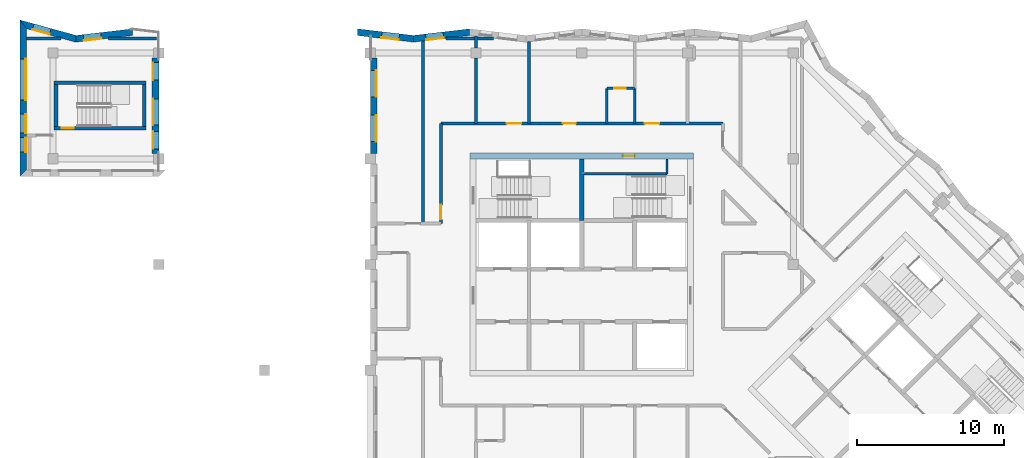
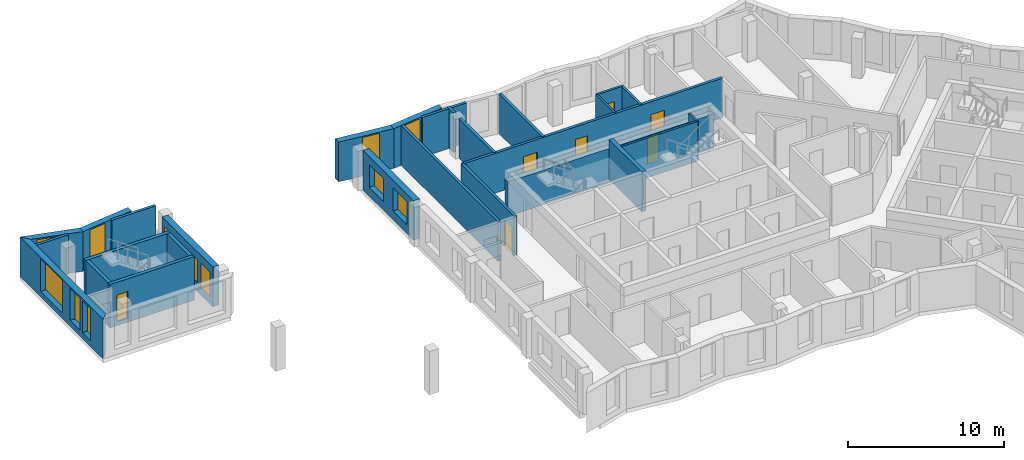
# One storey, part 5 of 12: 27 walls, 12 windows, 7 doors, 19 openings.
"""IFC4 building model written with IfcOpenShell, lengths in metres."""

from ifc_helpers import new_model, si_unit, direction, frame, frame_2d, origin, place, context, subcontext, project, spatial, polyline, rectangle, outline, extrude, material, layer, layer_set, type_object, element, fill, save


model = new_model("IFC4")

# Units and contexts
model_context = context("Model", 3, precision=1e-05, world=origin(), true_north=direction((0.0, 1.0)))
body_context = subcontext(model_context, "Body", "Model", "MODEL_VIEW")
ifc_project = project(units=[si_unit("LENGTHUNIT", "METRE"), si_unit("AREAUNIT", "SQUARE_METRE"), si_unit("VOLUMEUNIT", "CUBIC_METRE"), si_unit("PLANEANGLEUNIT", "RADIAN"), si_unit("MASSUNIT", "GRAM", prefix="KILO")], contexts=[model_context])

# Site, building, storey
site_placement = place(None, origin())
site = spatial("IfcSite", under=ifc_project, at=site_placement, CompositionType="ELEMENT")
building_placement = place(site_placement, origin())
building = spatial("IfcBuilding", under=site, at=building_placement, Name="Windrow Commons", CompositionType="ELEMENT")
storey_placement = place(building_placement, frame((0.0, 0.0, 260.8)))
storey = spatial("IfcBuildingStorey", under=building, at=storey_placement, Name="L71", CompositionType="ELEMENT", Elevation=260.8)

# Wall, opening, window
ifc_material_1 = material(Name="Brick masonry, red clay brick", Category="masonry")
ifc_layer_1 = layer(ifc_material_1, 0.45)
ifc_layer_set_1 = layer_set([ifc_layer_1], Name="Brick facade wall 450")
wall_type_1 = type_object("IfcWallType", Name="Brick facade wall 450", PredefinedType="SOLIDWALL", material=ifc_layer_set_1)
wall_1_placement = place(storey_placement, frame((57.1681, 73.4244, 0.0), z_axis=(0.0, 0.0, 1.0), x_axis=(-0.9931289789, -0.1170249176, 0.0)))
wall_1 = element("IfcWall", 1, at=wall_1_placement, inside=storey, type_object=wall_type_1, Name="Brick facade wall L71 23", PredefinedType="SOLIDWALL", context=body_context, shape_type="SweptSolid", body=[
    extrude(outline(polyline([(-0.0265, -0.225), (3.8274, -0.225), (3.8804, 0.225), (0.0265, 0.225), (-0.0265, -0.225)])), origin(), (0.0, 0.0, 1.0), 3.1),
])
opening_1_placement = place(wall_1_placement, frame((1.8083, 0.0, 0.45)))
opening_1 = element("IfcOpeningElement", 2, at=opening_1_placement, cuts=wall_1, Name="Opening W7F", PredefinedType="OPENING", context=body_context, shape_type="SweptSolid", body=[
    extrude(rectangle(XDim=1.2, YDim=2.55, at=frame_2d((0.6, 1.275))), frame((0.0, 0.235, 0.0), z_axis=(0.0, -1.0, 0.0), x_axis=(1.0, 0.0, 0.0)), (0.0, 0.0, 1.0), 0.47),
])
ifc_material_2 = material(Name="Clear float glass in anodised aluminium frame", Category="aluminium")
window_type_1 = type_object("IfcWindowType", Name="Window W7 notch 1200x2550", PartitioningType="SINGLE_PANEL", PredefinedType="WINDOW", material=ifc_material_2)
window_1_placement = place(opening_1_placement, origin())
window_1 = element("IfcWindow", 3, at=window_1_placement, inside=storey, type_object=window_type_1, Name="Window L71 23.1", OverallHeight=2.55, OverallWidth=1.2, PartitioningType="SINGLE_PANEL", PredefinedType="WINDOW", context=body_context, shape_type="SweptSolid", body=[
    extrude(rectangle(XDim=1.2, YDim=2.55, at=frame_2d((0.6, 1.275))), frame((0.0, 0.205, 0.0), z_axis=(0.0, -1.0, 0.0), x_axis=(1.0, 0.0, 0.0)), (0.0, 0.0, 1.0), 0.06),
])
fill(opening_1, window_1)

wall_2_placement = place(storey_placement, frame((53.3407, 72.9734, 0.0), z_axis=(0.0, 0.0, 1.0), x_axis=(-0.9931289789, 0.1170249176, 0.0)))
wall_2 = element("IfcWall", 4, at=wall_2_placement, inside=storey, type_object=wall_type_1, Name="Brick facade wall L71 24", PredefinedType="SOLIDWALL", context=body_context, shape_type="SweptSolid", body=[
    extrude(outline(polyline([(0.0265, -0.225), (3.8804, -0.225), (3.8274, 0.225), (-0.0265, 0.225), (0.0265, -0.225)])), origin(), (0.0, 0.0, 1.0), 3.1),
])
opening_2_placement = place(wall_2_placement, frame((0.9805, 0.0, 0.45)))
opening_2 = element("IfcOpeningElement", 5, at=opening_2_placement, cuts=wall_2, Name="Opening W7F", PredefinedType="OPENING", context=body_context, shape_type="SweptSolid", body=[
    extrude(rectangle(XDim=1.2, YDim=2.55, at=frame_2d((0.6, 1.275))), frame((0.0, 0.235, 0.0), z_axis=(0.0, -1.0, 0.0), x_axis=(1.0, 0.0, 0.0)), (0.0, 0.0, 1.0), 0.47),
])
window_2_placement = place(opening_2_placement, origin())
window_2 = element("IfcWindow", 6, at=window_2_placement, inside=storey, type_object=window_type_1, Name="Window L71 24.1", OverallHeight=2.55, OverallWidth=1.2, PartitioningType="SINGLE_PANEL", PredefinedType="WINDOW", context=body_context, shape_type="SweptSolid", body=[
    extrude(rectangle(XDim=1.2, YDim=2.55, at=frame_2d((0.6, 1.275))), frame((0.0, 0.205, 0.0), z_axis=(0.0, -1.0, 0.0), x_axis=(1.0, 0.0, 0.0)), (0.0, 0.0, 1.0), 0.06),
])
fill(opening_2, window_2)

wall_3_placement = place(storey_placement, frame((34.2038, 73.4244, 0.0), z_axis=(0.0, 0.0, 1.0), x_axis=(-0.9931301358, -0.1170150991, 0.0)))
wall_3 = element("IfcWall", 7, at=wall_3_placement, inside=storey, type_object=wall_type_1, Name="Brick facade wall L71 29", PredefinedType="SOLIDWALL", context=body_context, shape_type="SweptSolid", body=[
    extrude(outline(polyline([(-0.0265, -0.225), (3.8274, -0.225), (3.9151, 0.225), (0.0265, 0.225), (-0.0265, -0.225)])), origin(), (0.0, 0.0, 1.0), 3.1),
])
opening_3_placement = place(wall_3_placement, frame((2.1438, 0.0, 0.45)))
opening_3 = element("IfcOpeningElement", 8, at=opening_3_placement, cuts=wall_3, Name="Opening W7F", PredefinedType="OPENING", context=body_context, shape_type="SweptSolid", body=[
    extrude(rectangle(XDim=1.2, YDim=2.55, at=frame_2d((0.6, 1.275))), frame((0.0, 0.235, 0.0), z_axis=(0.0, -1.0, 0.0), x_axis=(1.0, 0.0, 0.0)), (0.0, 0.0, 1.0), 0.47),
])
window_3_placement = place(opening_3_placement, origin())
window_3 = element("IfcWindow", 9, at=window_3_placement, inside=storey, type_object=window_type_1, Name="Window L71 29.2", OverallHeight=2.55, OverallWidth=1.2, PartitioningType="SINGLE_PANEL", PredefinedType="WINDOW", context=body_context, shape_type="SweptSolid", body=[
    extrude(rectangle(XDim=1.2, YDim=2.55, at=frame_2d((0.6, 1.275))), frame((0.0, 0.205, 0.0), z_axis=(0.0, -1.0, 0.0), x_axis=(1.0, 0.0, 0.0)), (0.0, 0.0, 1.0), 0.06),
])
fill(opening_3, window_3)

wall_4_placement = place(storey_placement, frame((30.3591, 72.9714, 0.0), z_axis=(0.0, 0.0, 1.0), x_axis=(-0.9643017755, 0.264805751, 0.0)))
wall_4 = element("IfcWall", 10, at=wall_4_placement, inside=storey, type_object=wall_type_1, Name="Brick facade wall L71 30", PredefinedType="SOLIDWALL", context=body_context, shape_type="SweptSolid", body=[
    extrude(outline(polyline([(0.0439, -0.225), (4.013, -0.225), (3.4227, 0.225), (-0.0439, 0.225), (0.0439, -0.225)])), origin(), (0.0, 0.0, 1.0), 3.1),
])
opening_4_placement = place(wall_4_placement, frame((1.8198, 0.0, 0.45)))
opening_4 = element("IfcOpeningElement", 11, at=opening_4_placement, cuts=wall_4, Name="Opening W7F", PredefinedType="OPENING", context=body_context, shape_type="SweptSolid", body=[
    extrude(rectangle(XDim=1.2, YDim=2.55, at=frame_2d((0.6, 1.275))), frame((0.0, 0.235, 0.0), z_axis=(0.0, -1.0, 0.0), x_axis=(1.0, 0.0, 0.0)), (0.0, 0.0, 1.0), 0.47),
])
window_4_placement = place(opening_4_placement, origin())
window_4 = element("IfcWindow", 12, at=window_4_placement, inside=storey, type_object=window_type_1, Name="Window L71 30.2", OverallHeight=2.55, OverallWidth=1.2, PartitioningType="SINGLE_PANEL", PredefinedType="WINDOW", context=body_context, shape_type="SweptSolid", body=[
    extrude(rectangle(XDim=1.2, YDim=2.55, at=frame_2d((0.6, 1.275))), frame((0.0, 0.205, 0.0), z_axis=(0.0, -1.0, 0.0), x_axis=(1.0, 0.0, 0.0)), (0.0, 0.0, 1.0), 0.06),
])
fill(opening_4, window_4)

# Wall, openings, windows
wall_5_placement = place(storey_placement, frame((26.774, 73.9559, 0.0), z_axis=(0.0, 0.0, 1.0), x_axis=(0.0, -1.0, 0.0)))
wall_5 = element("IfcWall", 13, at=wall_5_placement, inside=storey, type_object=wall_type_1, Name="Brick facade wall L71 31", PredefinedType="SOLIDWALL", context=body_context, shape_type="SweptSolid", body=[
    extrude(outline(polyline([(-0.2951, -0.225), (10.3559, -0.225), (9.9059, 0.225), (0.2951, 0.225), (-0.2951, -0.225)])), origin(), (0.0, 0.0, 1.0), 3.1),
])
opening_5_placement = place(wall_5_placement, frame((2.3559, 0.0, 0.45)))
opening_5 = element("IfcOpeningElement", 14, at=opening_5_placement, cuts=wall_5, Name="Opening W1V", PredefinedType="OPENING", context=body_context, shape_type="SweptSolid", body=[
    extrude(rectangle(XDim=2.8, YDim=2.55, at=frame_2d((1.4, 1.275))), frame((0.0, 0.235, 0.0), z_axis=(0.0, -1.0, 0.0), x_axis=(1.0, 0.0, 0.0)), (0.0, 0.0, 1.0), 0.47),
])
opening_6_placement = place(wall_5_placement, frame((6.1059, 0.0, 0.45)))
opening_6 = element("IfcOpeningElement", 15, at=opening_6_placement, cuts=wall_5, Name="Opening W1Q", PredefinedType="OPENING", context=body_context, shape_type="SweptSolid", body=[
    extrude(rectangle(XDim=1.3, YDim=2.5, at=frame_2d((0.65, 1.25))), frame((0.0, 0.235, 0.0), z_axis=(0.0, -1.0, 0.0), x_axis=(1.0, 0.0, 0.0)), (0.0, 0.0, 1.0), 0.47),
])
opening_7_placement = place(wall_5_placement, frame((7.7059, 0.0, 0.45)))
opening_7 = element("IfcOpeningElement", 16, at=opening_7_placement, cuts=wall_5, Name="Opening W1S", PredefinedType="OPENING", context=body_context, shape_type="SweptSolid", body=[
    extrude(rectangle(XDim=1.0, YDim=2.5, at=frame_2d((0.5, 1.25))), frame((0.0, 0.235, 0.0), z_axis=(0.0, -1.0, 0.0), x_axis=(1.0, 0.0, 0.0)), (0.0, 0.0, 1.0), 0.47),
])
ifc_material_3 = material(Name="Clear float glass in anodised aluminium frame", Category="aluminium")
window_type_2 = type_object("IfcWindowType", Name="Window W1Q pair 1300x2500", PartitioningType="SINGLE_PANEL", PredefinedType="WINDOW", material=ifc_material_3)
window_5_placement = place(opening_6_placement, origin())
window_5 = element("IfcWindow", 17, at=window_5_placement, inside=storey, type_object=window_type_2, Name="Window L71 31.2A", OverallHeight=2.5, OverallWidth=1.3, PartitioningType="SINGLE_PANEL", PredefinedType="WINDOW", context=body_context, shape_type="SweptSolid", body=[
    extrude(rectangle(XDim=1.3, YDim=2.5, at=frame_2d((0.65, 1.25))), frame((0.0, 0.205, 0.0), z_axis=(0.0, -1.0, 0.0), x_axis=(1.0, 0.0, 0.0)), (0.0, 0.0, 1.0), 0.06),
])
fill(opening_6, window_5)
ifc_material_4 = material(Name="Clear float glass in anodised aluminium frame", Category="aluminium")
window_type_3 = type_object("IfcWindowType", Name="Window W1S slit 1000x2500", PartitioningType="SINGLE_PANEL", PredefinedType="WINDOW", material=ifc_material_4)
window_6_placement = place(opening_7_placement, origin())
window_6 = element("IfcWindow", 18, at=window_6_placement, inside=storey, type_object=window_type_3, Name="Window L71 31.2B", OverallHeight=2.5, OverallWidth=1.0, PartitioningType="SINGLE_PANEL", PredefinedType="WINDOW", context=body_context, shape_type="SweptSolid", body=[
    extrude(rectangle(XDim=1.0, YDim=2.5, at=frame_2d((0.5, 1.25))), frame((0.0, 0.205, 0.0), z_axis=(0.0, -1.0, 0.0), x_axis=(1.0, 0.0, 0.0)), (0.0, 0.0, 1.0), 0.06),
])
fill(opening_7, window_6)
ifc_material_5 = material(Name="Clear float glass in anodised aluminium frame", Category="aluminium")
window_type_4 = type_object("IfcWindowType", Name="Window W1V bedroom 2800x2550", PartitioningType="SINGLE_PANEL", PredefinedType="WINDOW", material=ifc_material_5)
window_7_placement = place(opening_5_placement, origin())
window_7 = element("IfcWindow", 19, at=window_7_placement, inside=storey, type_object=window_type_4, Name="Window L71 31.1", OverallHeight=2.55, OverallWidth=2.8, PartitioningType="SINGLE_PANEL", PredefinedType="WINDOW", context=body_context, shape_type="SweptSolid", body=[
    extrude(rectangle(XDim=2.8, YDim=2.55, at=frame_2d((1.4, 1.275))), frame((0.0, 0.205, 0.0), z_axis=(0.0, -1.0, 0.0), x_axis=(1.0, 0.0, 0.0)), (0.0, 0.0, 1.0), 0.06),
])
fill(opening_5, window_7)

wall_6_placement = place(storey_placement, frame((35.775, 65.15, 0.0), z_axis=(0.0, 0.0, 1.0), x_axis=(0.0, 1.0, 0.0)))
wall_6 = element("IfcWall", 20, at=wall_6_placement, inside=storey, type_object=wall_type_1, Name="Brick portal return L71 6", PredefinedType="SOLIDWALL", context=body_context, shape_type="SweptSolid", body=[
    extrude(rectangle(XDim=6.5, YDim=0.45, at=frame_2d((3.25, 0.0))), origin(), (0.0, 0.0, 1.0), 3.1),
])
opening_8_placement = place(wall_6_placement, frame((0.325, 0.0, 0.6)))
opening_8 = element("IfcOpeningElement", 21, at=opening_8_placement, cuts=wall_6, Name="Opening W7G", PredefinedType="OPENING", context=body_context, shape_type="SweptSolid", body=[
    extrude(rectangle(XDim=1.2, YDim=1.9, at=frame_2d((0.6, 0.95))), frame((0.0, 0.235, 0.0), z_axis=(0.0, -1.0, 0.0), x_axis=(1.0, 0.0, 0.0)), (0.0, 0.0, 1.0), 0.47),
])
opening_9_placement = place(wall_6_placement, frame((1.9375, 0.0, 0.7)))
opening_9 = element("IfcOpeningElement", 22, at=opening_9_placement, cuts=wall_6, Name="Opening W8", PredefinedType="OPENING", context=body_context, shape_type="SweptSolid", body=[
    extrude(rectangle(XDim=1.8, YDim=1.8, at=frame_2d((0.9, 0.9))), frame((0.0, 0.235, 0.0), z_axis=(0.0, -1.0, 0.0), x_axis=(1.0, 0.0, 0.0)), (0.0, 0.0, 1.0), 0.47),
])
opening_10_placement = place(wall_6_placement, frame((5.0, 0.0, 0.6)))
opening_10 = element("IfcOpeningElement", 23, at=opening_10_placement, cuts=wall_6, Name="Opening W7G", PredefinedType="OPENING", context=body_context, shape_type="SweptSolid", body=[
    extrude(rectangle(XDim=1.2, YDim=1.9, at=frame_2d((0.6, 0.95))), frame((0.0, 0.235, 0.0), z_axis=(0.0, -1.0, 0.0), x_axis=(1.0, 0.0, 0.0)), (0.0, 0.0, 1.0), 0.47),
])
ifc_material_6 = material(Name="Clear float glass in anodised aluminium frame", Category="aluminium")
window_type_5 = type_object("IfcWindowType", Name="Window W7 notch 1200x1900", PartitioningType="SINGLE_PANEL", PredefinedType="WINDOW", material=ifc_material_6)
window_8_placement = place(opening_8_placement, origin())
window_8 = element("IfcWindow", 24, at=window_8_placement, inside=storey, type_object=window_type_5, Name="Window L71 portal 6.1.1A", OverallHeight=1.9, OverallWidth=1.2, PartitioningType="SINGLE_PANEL", PredefinedType="WINDOW", context=body_context, shape_type="SweptSolid", body=[
    extrude(rectangle(XDim=1.2, YDim=1.9, at=frame_2d((0.6, 0.95))), frame((0.0, 0.205, 0.0), z_axis=(0.0, -1.0, 0.0), x_axis=(1.0, 0.0, 0.0)), (0.0, 0.0, 1.0), 0.06),
])
fill(opening_8, window_8)
window_9_placement = place(opening_10_placement, origin())
window_9 = element("IfcWindow", 25, at=window_9_placement, inside=storey, type_object=window_type_5, Name="Window L71 portal 6.1.2A", OverallHeight=1.9, OverallWidth=1.2, PartitioningType="SINGLE_PANEL", PredefinedType="WINDOW", context=body_context, shape_type="SweptSolid", body=[
    extrude(rectangle(XDim=1.2, YDim=1.9, at=frame_2d((0.6, 0.95))), frame((0.0, 0.205, 0.0), z_axis=(0.0, -1.0, 0.0), x_axis=(1.0, 0.0, 0.0)), (0.0, 0.0, 1.0), 0.06),
])
fill(opening_10, window_9)
ifc_material_7 = material(Name="Clear float glass in anodised aluminium frame", Category="aluminium")
window_type_6 = type_object("IfcWindowType", Name="Window W8 portal 1800x1800", PartitioningType="SINGLE_PANEL", PredefinedType="WINDOW", material=ifc_material_7)
window_10_placement = place(opening_9_placement, origin())
window_10 = element("IfcWindow", 26, at=window_10_placement, inside=storey, type_object=window_type_6, Name="Window L71 portal 6.1.1B", OverallHeight=1.8, OverallWidth=1.8, PartitioningType="SINGLE_PANEL", PredefinedType="WINDOW", context=body_context, shape_type="SweptSolid", body=[
    extrude(rectangle(XDim=1.8, YDim=1.8, at=frame_2d((0.9, 0.9))), frame((0.0, 0.205, 0.0), z_axis=(0.0, -1.0, 0.0), x_axis=(1.0, 0.0, 0.0)), (0.0, 0.0, 1.0), 0.06),
])
fill(opening_9, window_10)

wall_7_placement = place(storey_placement, frame((50.625, 71.65, 0.0), z_axis=(0.0, 0.0, 1.0), x_axis=(0.0, -1.0, 0.0)))
wall_7 = element("IfcWall", 27, at=wall_7_placement, inside=storey, type_object=wall_type_1, Name="Brick portal return L71 12", PredefinedType="SOLIDWALL", context=body_context, shape_type="SweptSolid", body=[
    extrude(rectangle(XDim=6.5, YDim=0.45, at=frame_2d((3.25, 0.0))), origin(), (0.0, 0.0, 1.0), 3.1),
])
opening_11_placement = place(wall_7_placement, frame((0.825, 0.0, 0.7)))
opening_11 = element("IfcOpeningElement", 28, at=opening_11_placement, cuts=wall_7, Name="Opening W8", PredefinedType="OPENING", context=body_context, shape_type="SweptSolid", body=[
    extrude(rectangle(XDim=1.8, YDim=1.8, at=frame_2d((0.9, 0.9))), frame((0.0, 0.235, 0.0), z_axis=(0.0, -1.0, 0.0), x_axis=(1.0, 0.0, 0.0)), (0.0, 0.0, 1.0), 0.47),
])
opening_12_placement = place(wall_7_placement, frame((3.875, 0.0, 0.7)))
opening_12 = element("IfcOpeningElement", 29, at=opening_12_placement, cuts=wall_7, Name="Opening W8", PredefinedType="OPENING", context=body_context, shape_type="SweptSolid", body=[
    extrude(rectangle(XDim=1.8, YDim=1.8, at=frame_2d((0.9, 0.9))), frame((0.0, 0.235, 0.0), z_axis=(0.0, -1.0, 0.0), x_axis=(1.0, 0.0, 0.0)), (0.0, 0.0, 1.0), 0.47),
])
window_11_placement = place(opening_11_placement, origin())
window_11 = element("IfcWindow", 30, at=window_11_placement, inside=storey, type_object=window_type_6, Name="Window L71 portal 12.1.1", OverallHeight=1.8, OverallWidth=1.8, PartitioningType="SINGLE_PANEL", PredefinedType="WINDOW", context=body_context, shape_type="SweptSolid", body=[
    extrude(rectangle(XDim=1.8, YDim=1.8, at=frame_2d((0.9, 0.9))), frame((0.0, 0.205, 0.0), z_axis=(0.0, -1.0, 0.0), x_axis=(1.0, 0.0, 0.0)), (0.0, 0.0, 1.0), 0.06),
])
fill(opening_11, window_11)
window_12_placement = place(opening_12_placement, origin())
window_12 = element("IfcWindow", 31, at=window_12_placement, inside=storey, type_object=window_type_6, Name="Window L71 portal 12.1.2", OverallHeight=1.8, OverallWidth=1.8, PartitioningType="SINGLE_PANEL", PredefinedType="WINDOW", context=body_context, shape_type="SweptSolid", body=[
    extrude(rectangle(XDim=1.8, YDim=1.8, at=frame_2d((0.9, 0.9))), frame((0.0, 0.205, 0.0), z_axis=(0.0, -1.0, 0.0), x_axis=(1.0, 0.0, 0.0)), (0.0, 0.0, 1.0), 0.06),
])
fill(opening_12, window_12)

# Wall, openings, doors
ifc_material_8 = material(Name="Blockwork partition", Category="masonry")
ifc_layer_2 = layer(ifc_material_8, 0.2)
ifc_layer_set_2 = layer_set([ifc_layer_2], Name="IW-CORRIDOR-200")
wall_type_2 = type_object("IfcWallType", Name="IW-CORRIDOR-200", PredefinedType="PARTITIONING", material=ifc_layer_set_2)
wall_8_placement = place(storey_placement, frame((55.2, 67.2, 0.0), z_axis=(0.0, 0.0, 1.0), x_axis=(1.0, 0.0, 0.0)))
wall_8 = element("IfcWall", 32, at=wall_8_placement, inside=storey, type_object=wall_type_2, Name="W-L71-W000", PredefinedType="PARTITIONING", context=body_context, shape_type="SweptSolid", body=[
    extrude(rectangle(XDim=19.2, YDim=0.2, at=frame_2d((9.6, 0.0))), origin(), (0.0, 0.0, 1.0), 3.1),
])
opening_13_placement = place(wall_8_placement, frame((4.475, 0.0, 0.0)))
opening_13 = element("IfcOpeningElement", 33, at=opening_13_placement, cuts=wall_8, Name="Opening D310F", PredefinedType="OPENING", context=body_context, shape_type="SweptSolid", body=[
    extrude(rectangle(XDim=1.0, YDim=2.1, at=frame_2d((0.5, 1.05))), frame((0.0, 0.11, 0.0), z_axis=(0.0, -1.0, 0.0), x_axis=(1.0, 0.0, 0.0)), (0.0, 0.0, 1.0), 0.22),
])
opening_14_placement = place(wall_8_placement, frame((8.3006, 0.0, 0.0)))
opening_14 = element("IfcOpeningElement", 34, at=opening_14_placement, cuts=wall_8, Name="Opening D109F", PredefinedType="OPENING", context=body_context, shape_type="SweptSolid", body=[
    extrude(rectangle(XDim=0.9, YDim=2.1, at=frame_2d((0.45, 1.05))), frame((0.0, 0.11, 0.0), z_axis=(0.0, -1.0, 0.0), x_axis=(1.0, 0.0, 0.0)), (0.0, 0.0, 1.0), 0.22),
])
opening_15_placement = place(wall_8_placement, frame((13.88, 0.0, 0.0)))
opening_15 = element("IfcOpeningElement", 35, at=opening_15_placement, cuts=wall_8, Name="Opening D310F", PredefinedType="OPENING", context=body_context, shape_type="SweptSolid", body=[
    extrude(rectangle(XDim=1.0, YDim=2.1, at=frame_2d((0.5, 1.05))), frame((0.0, 0.11, 0.0), z_axis=(0.0, -1.0, 0.0), x_axis=(1.0, 0.0, 0.0)), (0.0, 0.0, 1.0), 0.22),
])
ifc_material_9 = material(Name="Timber door leaf", Category="wood")
door_type_1 = type_object("IfcDoorType", Name="DT-AMENITY-1000", OperationType="SINGLE_SWING_LEFT", PredefinedType="DOOR", material=ifc_material_9)
door_1_placement = place(opening_13_placement, origin())
door_1 = element("IfcDoor", 36, at=door_1_placement, inside=storey, type_object=door_type_1, Name="D-L71-D011", OperationType="SINGLE_SWING_RIGHT", OverallHeight=2.1, OverallWidth=1.0, PredefinedType="DOOR", context=body_context, shape_type="SweptSolid", body=[
    extrude(rectangle(XDim=1.0, YDim=2.1, at=frame_2d((0.5, 1.05))), frame((0.0, 0.025, 0.0), z_axis=(0.0, -1.0, 0.0), x_axis=(1.0, 0.0, 0.0)), (0.0, 0.0, 1.0), 0.05),
])
fill(opening_13, door_1)
door_2_placement = place(opening_15_placement, origin())
door_2 = element("IfcDoor", 37, at=door_2_placement, inside=storey, type_object=door_type_1, Name="D-L71-D014", OperationType="SINGLE_SWING_LEFT", OverallHeight=2.1, OverallWidth=1.0, PredefinedType="DOOR", context=body_context, shape_type="SweptSolid", body=[
    extrude(rectangle(XDim=1.0, YDim=2.1, at=frame_2d((0.5, 1.05))), frame((0.0, 0.025, 0.0), z_axis=(0.0, -1.0, 0.0), x_axis=(1.0, 0.0, 0.0)), (0.0, 0.0, 1.0), 0.05),
])
fill(opening_15, door_2)
ifc_material_10 = material(Name="Timber door leaf", Category="wood")
door_type_2 = type_object("IfcDoorType", Name="DT-BEDROOM-900", OperationType="SINGLE_SWING_LEFT", PredefinedType="DOOR", material=ifc_material_10)
door_3_placement = place(opening_14_placement, origin())
door_3 = element("IfcDoor", 38, at=door_3_placement, inside=storey, type_object=door_type_2, Name="D-L71-D012", OperationType="SINGLE_SWING_LEFT", OverallHeight=2.1, OverallWidth=0.9, PredefinedType="DOOR", context=body_context, shape_type="SweptSolid", body=[
    extrude(rectangle(XDim=0.9, YDim=2.1, at=frame_2d((0.45, 1.05))), frame((0.0, 0.025, 0.0), z_axis=(0.0, -1.0, 0.0), x_axis=(1.0, 0.0, 0.0)), (0.0, 0.0, 1.0), 0.05),
])
fill(opening_14, door_3)

# Wall, opening, door
wall_9_placement = place(storey_placement, frame((55.2, 60.402, 0.0), z_axis=(0.0, 0.0, 1.0), x_axis=(0.0, 1.0, 0.0)))
wall_9 = element("IfcWall", 39, at=wall_9_placement, inside=storey, type_object=wall_type_2, Name="W-L71-W013", PredefinedType="PARTITIONING", context=body_context, shape_type="SweptSolid", body=[
    extrude(rectangle(XDim=6.798, YDim=0.2, at=frame_2d((3.399, 0.0))), origin(), (0.0, 0.0, 1.0), 3.1),
])
opening_16_placement = place(wall_9_placement, frame((0.2687, 0.0, 0.0)))
opening_16 = element("IfcOpeningElement", 40, at=opening_16_placement, cuts=wall_9, Name="Opening D310F", PredefinedType="OPENING", context=body_context, shape_type="SweptSolid", body=[
    extrude(rectangle(XDim=1.0, YDim=2.1, at=frame_2d((0.5, 1.05))), frame((0.0, 0.11, 0.0), z_axis=(0.0, -1.0, 0.0), x_axis=(1.0, 0.0, 0.0)), (0.0, 0.0, 1.0), 0.22),
])
door_4_placement = place(opening_16_placement, origin())
door_4 = element("IfcDoor", 41, at=door_4_placement, inside=storey, type_object=door_type_1, Name="D-L71-D010", OperationType="SINGLE_SWING_LEFT", OverallHeight=2.1, OverallWidth=1.0, PredefinedType="DOOR", context=body_context, shape_type="SweptSolid", body=[
    extrude(rectangle(XDim=1.0, YDim=2.1, at=frame_2d((0.5, 1.05))), frame((0.0, 0.025, 0.0), z_axis=(0.0, -1.0, 0.0), x_axis=(1.0, 0.0, 0.0)), (0.0, 0.0, 1.0), 0.05),
])
fill(opening_16, door_4)

# Walls
ifc_material_11 = material(Name="Blockwork partition", Category="masonry")
ifc_layer_3 = layer(ifc_material_11, 0.15)
ifc_layer_set_3 = layer_set([ifc_layer_3], Name="IW-ENSUITE-150")
wall_type_3 = type_object("IfcWallType", Name="IW-ENSUITE-150", PredefinedType="PARTITIONING", material=ifc_layer_set_3)
for number, where, z_axis, x_axis, name in (
    (42, (66.5, 67.2, 0.0), (0.0, 0.0, 1.0), (0.0, 1.0, 0.0), "W-L71-W051"),
    (43, (68.4, 67.2, 0.0), (0.0, 0.0, 1.0), (0.0, 1.0, 0.0), "W-L71-W052"),
):
    element("IfcWall", number, at=place(storey_placement, frame(where, z_axis=z_axis, x_axis=x_axis)), inside=storey, type_object=wall_type_3, Name=name, PredefinedType="PARTITIONING", context=body_context, shape_type="SweptSolid", body=[
        extrude(rectangle(XDim=2.4, YDim=0.15, at=frame_2d((1.2, 0.0))), origin(), (0.0, 0.0, 1.0), 3.1),
    ])

# Wall, opening, door
wall_10_placement = place(storey_placement, frame((66.5, 69.6, 0.0), z_axis=(0.0, 0.0, 1.0), x_axis=(1.0, 0.0, 0.0)))
wall_10 = element("IfcWall", 44, at=wall_10_placement, inside=storey, type_object=wall_type_3, Name="W-L71-W067", PredefinedType="PARTITIONING", context=body_context, shape_type="SweptSolid", body=[
    extrude(rectangle(XDim=1.9, YDim=0.15, at=frame_2d((0.95, 0.0))), origin(), (0.0, 0.0, 1.0), 3.1),
])
opening_17_placement = place(wall_10_placement, frame((0.4931, 0.0, 0.0)))
opening_17 = element("IfcOpeningElement", 45, at=opening_17_placement, cuts=wall_10, Name="Opening D208N", PredefinedType="OPENING", context=body_context, shape_type="SweptSolid", body=[
    extrude(rectangle(XDim=0.8, YDim=2.1, at=frame_2d((0.4, 1.05))), frame((0.0, 0.085, 0.0), z_axis=(0.0, -1.0, 0.0), x_axis=(1.0, 0.0, 0.0)), (0.0, 0.0, 1.0), 0.17),
])
ifc_material_12 = material(Name="Timber door leaf", Category="wood")
door_type_3 = type_object("IfcDoorType", Name="DT-ENSUITE-800", OperationType="SINGLE_SWING_LEFT", PredefinedType="DOOR", material=ifc_material_12)
door_5_placement = place(opening_17_placement, origin())
door_5 = element("IfcDoor", 46, at=door_5_placement, inside=storey, type_object=door_type_3, Name="D-L71-D013", OperationType="SINGLE_SWING_RIGHT", OverallHeight=2.1, OverallWidth=0.8, PredefinedType="DOOR", context=body_context, shape_type="SweptSolid", body=[
    extrude(rectangle(XDim=0.8, YDim=2.1, at=frame_2d((0.4, 1.05))), frame((0.0, 0.025, 0.0), z_axis=(0.0, -1.0, 0.0), x_axis=(1.0, 0.0, 0.0)), (0.0, 0.0, 1.0), 0.05),
])
fill(opening_17, door_5)

# Walls
ifc_material_13 = material(Name="Blockwork partition", Category="masonry")
ifc_layer_4 = layer(ifc_material_13, 0.2)
ifc_layer_set_4 = layer_set([ifc_layer_4], Name="IW-PARTY-200")
wall_type_4 = type_object("IfcWallType", Name="IW-PARTY-200", PredefinedType="PARTITIONING", material=ifc_layer_set_4)
wall_11_placement = place(storey_placement, frame((54.0, 60.4, 0.0), z_axis=(0.0, 0.0, 1.0), x_axis=(0.0, 1.0, 0.0)))
element("IfcWall", 47, at=wall_11_placement, inside=storey, type_object=wall_type_4, Name="W-L71-W004", PredefinedType="PARTITIONING", context=body_context, shape_type="SweptSolid", body=[
    extrude(rectangle(XDim=12.4246, YDim=0.2, at=frame_2d((6.2123, 0.0))), origin(), (0.0, 0.0, 1.0), 3.1),
])
wall_12_placement = place(storey_placement, frame((61.2, 67.2, 0.0), z_axis=(0.0, 0.0, 1.0), x_axis=(0.0, 1.0, 0.0)))
element("IfcWall", 48, at=wall_12_placement, inside=storey, type_object=wall_type_4, Name="W-L71-W017", PredefinedType="PARTITIONING", context=body_context, shape_type="SweptSolid", body=[
    extrude(rectangle(XDim=5.571, YDim=0.2, at=frame_2d((2.7855, 0.0))), origin(), (0.0, 0.0, 1.0), 3.1),
])
wall_13_placement = place(storey_placement, frame((57.6, 67.2, 0.0), z_axis=(0.0, 0.0, 1.0), x_axis=(0.0, 1.0, 0.0)))
element("IfcWall", 49, at=wall_13_placement, inside=storey, type_object=wall_type_4, Name="W-L71-W024", PredefinedType="PARTITIONING", context=body_context, shape_type="SweptSolid", body=[
    extrude(rectangle(XDim=4.45, YDim=0.2, at=frame_2d((2.225, 0.0))), origin(), (0.0, 0.0, 1.0), 3.1),
])
for number, where, z_axis, x_axis, name in (
    (50, (32.5744, 73.0, 0.0), (0.0, 0.0, 1.0), (1.0, 0.0, 0.0), "W-L71-W036"),
    (51, (55.5388, 73.0, 0.0), (0.0, 0.0, 1.0), (1.0, 0.0, 0.0), "W-L71-W037"),
):
    element("IfcWall", number, at=place(storey_placement, frame(where, z_axis=z_axis, x_axis=x_axis)), inside=storey, type_object=wall_type_4, Name=name, PredefinedType="PARTITIONING", context=body_context, shape_type="SweptSolid", body=[
        extrude(rectangle(XDim=3.2587, YDim=0.2, at=frame_2d((1.6294, 0.0))), origin(), (0.0, 0.0, 1.0), 3.1),
    ])
wall_14_placement = place(storey_placement, frame((26.999, 73.0, 0.0), z_axis=(0.0, 0.0, 1.0), x_axis=(1.0, 0.0, 0.0)))
element("IfcWall", 52, at=wall_14_placement, inside=storey, type_object=wall_type_4, Name="W-L71-W055", PredefinedType="PARTITIONING", context=body_context, shape_type="SweptSolid", body=[
    extrude(rectangle(XDim=2.3563, YDim=0.2, at=frame_2d((1.1782, 0.0))), origin(), (0.0, 0.0, 1.0), 3.1),
])
wall_15_placement = place(storey_placement, frame((57.6, 72.35, 0.0), z_axis=(0.0, 0.0, 1.0), x_axis=(0.0, 1.0, 0.0)))
element("IfcWall", 53, at=wall_15_placement, inside=storey, type_object=wall_type_4, Name="W-L71-W080", PredefinedType="PARTITIONING", context=body_context, shape_type="SweptSolid", body=[
    extrude(rectangle(XDim=0.797, YDim=0.2, at=frame_2d((0.3985, 0.0))), origin(), (0.0, 0.0, 1.0), 3.1),
])

# Wall, opening, door
ifc_material_14 = material(Name="Concrete C40/50", Category="concrete")
ifc_layer_5 = layer(ifc_material_14, 0.4)
ifc_layer_set_5 = layer_set([ifc_layer_5], Name="RC CORE WALL 400 C40/50")
wall_type_5 = type_object("IfcWallType", Name="RC CORE WALL 400 C40/50", PredefinedType="SHEAR", material=ifc_layer_set_5)
wall_16_placement = place(storey_placement, frame((57.2, 65.0, -0.3), z_axis=(0.0, 0.0, 1.0), x_axis=(1.0, 0.0, 0.0)))
wall_16 = element("IfcWall", 54, at=wall_16_placement, inside=storey, type_object=wall_type_5, Name="Core A wall outer-N", PredefinedType="SHEAR", context=body_context, shape_type="SweptSolid", body=[
    extrude(rectangle(XDim=15.2, YDim=0.4, at=frame_2d((7.6, 0.0))), origin(), (0.0, 0.0, 1.0), 2.7),
])
opening_18_placement = place(wall_16_placement, frame((10.4, 0.0, 0.3)))
opening_18 = element("IfcOpeningElement", 55, at=opening_18_placement, cuts=wall_16, Name="Opening D9", PredefinedType="OPENING", context=body_context, shape_type="SweptSolid", body=[
    extrude(rectangle(XDim=0.8, YDim=2.1, at=frame_2d((0.4, 1.05))), frame((0.0, 0.21, 0.0), z_axis=(0.0, -1.0, 0.0), x_axis=(1.0, 0.0, 0.0)), (0.0, 0.0, 1.0), 0.42),
])
ifc_material_15 = material(Name="Steel fire door leaf", Category="steel")
door_type_4 = type_object("IfcDoorType", Name="Riser access door 800", OperationType="SINGLE_SWING_LEFT", PredefinedType="DOOR", material=ifc_material_15)
door_6_placement = place(opening_18_placement, origin())
door_6 = element("IfcDoor", 56, at=door_6_placement, inside=storey, type_object=door_type_4, Name="Riser access door", OperationType="SINGLE_SWING_RIGHT", OverallHeight=2.1, OverallWidth=0.8, PredefinedType="DOOR", context=body_context, shape_type="SweptSolid", body=[
    extrude(rectangle(XDim=0.8, YDim=2.1, at=frame_2d((0.4, 1.05))), frame((0.0, 0.025, 0.0), z_axis=(0.0, -1.0, 0.0), x_axis=(1.0, 0.0, 0.0)), (0.0, 0.0, 1.0), 0.05),
])
fill(opening_18, door_6)

ifc_material_16 = material(Name="Concrete C40/50", Category="concrete")
ifc_layer_6 = layer(ifc_material_16, 0.25)
ifc_layer_set_6 = layer_set([ifc_layer_6], Name="RC SHAFT WALL 250 C40/50")
wall_type_6 = type_object("IfcWallType", Name="RC SHAFT WALL 250 C40/50", PredefinedType="SOLIDWALL", material=ifc_layer_set_6)
wall_17_placement = place(storey_placement, frame((28.875, 66.875, -0.3), z_axis=(0.0, 0.0, 1.0), x_axis=(1.0, 0.0, 0.0)))
wall_17 = element("IfcWall", 57, at=wall_17_placement, inside=storey, type_object=wall_type_6, Name="Stair enclosure wall L71 S", PredefinedType="SOLIDWALL", context=body_context, shape_type="SweptSolid", body=[
    extrude(rectangle(XDim=6.25, YDim=0.25, at=frame_2d((3.125, 0.0))), origin(), (0.0, 0.0, 1.0), 3.4),
])
opening_19_placement = place(wall_17_placement, frame((0.525, 0.0, 0.3)))
opening_19 = element("IfcOpeningElement", 58, at=opening_19_placement, cuts=wall_17, Name="Opening D23", PredefinedType="OPENING", context=body_context, shape_type="SweptSolid", body=[
    extrude(rectangle(XDim=0.8, YDim=2.1, at=frame_2d((0.4, 1.05))), frame((0.0, 0.135, 0.0), z_axis=(0.0, -1.0, 0.0), x_axis=(1.0, 0.0, 0.0)), (0.0, 0.0, 1.0), 0.27),
])
ifc_material_17 = material(Name="Steel fire door leaf", Category="steel")
door_type_5 = type_object("IfcDoorType", Name="Stair door 800", OperationType="SINGLE_SWING_LEFT", PredefinedType="DOOR", material=ifc_material_17)
door_7_placement = place(opening_19_placement, origin())
door_7 = element("IfcDoor", 59, at=door_7_placement, inside=storey, type_object=door_type_5, Name="Stair door", OperationType="SINGLE_SWING_LEFT", OverallHeight=2.1, OverallWidth=0.8, PredefinedType="DOOR", context=body_context, shape_type="SweptSolid", body=[
    extrude(rectangle(XDim=0.8, YDim=2.1, at=frame_2d((0.4, 1.05))), frame((0.0, 0.025, 0.0), z_axis=(0.0, -1.0, 0.0), x_axis=(1.0, 0.0, 0.0)), (0.0, 0.0, 1.0), 0.05),
])
fill(opening_19, door_7)

# Walls
wall_18_placement = place(storey_placement, frame((28.875, 69.975, -0.3), z_axis=(0.0, 0.0, 1.0), x_axis=(1.0, 0.0, 0.0)))
element("IfcWall", 60, at=wall_18_placement, inside=storey, type_object=wall_type_6, Name="Stair enclosure wall L71 N", PredefinedType="SOLIDWALL", context=body_context, shape_type="SweptSolid", body=[
    extrude(rectangle(XDim=6.25, YDim=0.25, at=frame_2d((3.125, 0.0))), origin(), (0.0, 0.0, 1.0), 3.4),
])
for number, where, z_axis, x_axis, name in (
    (61, (29.0, 67.0, -0.3), (0.0, 0.0, 1.0), (0.0, 1.0, 0.0), "Stair enclosure wall L71 W"),
    (62, (35.0, 67.0, -0.3), (0.0, 0.0, 1.0), (0.0, 1.0, 0.0), "Stair enclosure wall L71 E"),
):
    element("IfcWall", number, at=place(storey_placement, frame(where, z_axis=z_axis, x_axis=x_axis)), inside=storey, type_object=wall_type_6, Name=name, PredefinedType="SOLIDWALL", context=body_context, shape_type="SweptSolid", body=[
        extrude(rectangle(XDim=2.85, YDim=0.25, at=frame_2d((1.425, 0.0))), origin(), (0.0, 0.0, 1.0), 3.4),
    ])
ifc_material_18 = material(Name="Concrete C40/50", Category="concrete")
ifc_layer_7 = layer(ifc_material_18, 0.3)
ifc_layer_set_7 = layer_set([ifc_layer_7], Name="RC SHAFT WALL 300 C40/50")
wall_type_7 = type_object("IfcWallType", Name="RC SHAFT WALL 300 C40/50", PredefinedType="SOLIDWALL", material=ifc_layer_set_7)
wall_19_placement = place(storey_placement, frame((64.8, 60.6, 0.0), z_axis=(0.0, 0.0, 1.0), x_axis=(0.0, 1.0, 0.0)))
element("IfcWall", 63, at=wall_19_placement, inside=storey, type_object=wall_type_7, Name="Core A wall stair-mid", PredefinedType="SOLIDWALL", context=body_context, shape_type="SweptSolid", body=[
    extrude(rectangle(XDim=4.2, YDim=0.3, at=frame_2d((2.1, 0.0))), origin(), (0.0, 0.0, 1.0), 3.1),
])
ifc_material_19 = material(Name="Blockwork partition", Category="masonry")
ifc_layer_8 = layer(ifc_material_19, 0.15)
ifc_layer_set_8 = layer_set([ifc_layer_8], Name="Riser partition 150")
wall_type_8 = type_object("IfcWallType", Name="Riser partition 150", PredefinedType="PARTITIONING", material=ifc_layer_set_8)
wall_20_placement = place(storey_placement, frame((64.95, 63.78, 0.0), z_axis=(0.0, 0.0, 1.0), x_axis=(1.0, 0.0, 0.0)))
element("IfcWall", 64, at=wall_20_placement, inside=storey, type_object=wall_type_8, Name="W-core-strip-A-L71", PredefinedType="PARTITIONING", context=body_context, shape_type="SweptSolid", body=[
    extrude(rectangle(XDim=5.65, YDim=0.15, at=frame_2d((2.825, 0.0))), origin(), (0.0, 0.0, 1.0), 3.1),
])
wall_21_placement = place(storey_placement, frame((70.6, 63.78, 0.0), z_axis=(0.0, 0.0, 1.0), x_axis=(0.0, 1.0, 0.0)))
element("IfcWall", 65, at=wall_21_placement, inside=storey, type_object=wall_type_8, Name="W-core-stripx-A-L71-1", PredefinedType="PARTITIONING", context=body_context, shape_type="SweptSolid", body=[
    extrude(rectangle(XDim=1.02, YDim=0.15, at=frame_2d((0.51, 0.0))), origin(), (0.0, 0.0, 1.0), 3.1),
])

save(model, "model.ifc")
